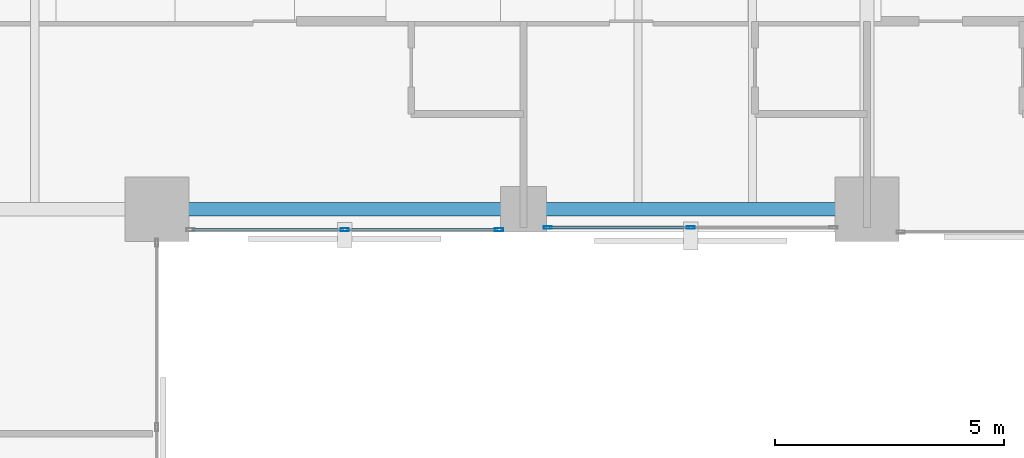
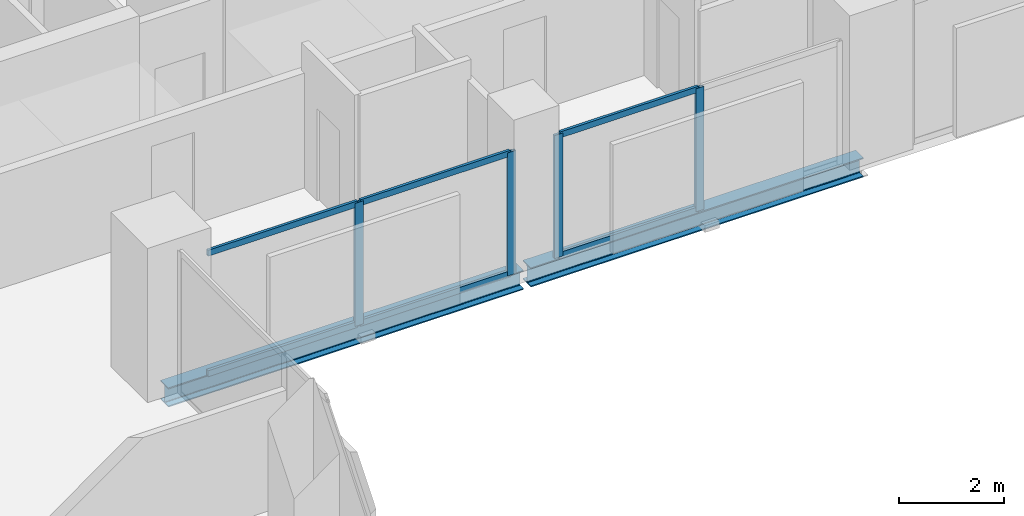
# One storey, part 13 of 32: 10 members, 2 beams, 2 elements without a shape of their own.
"""IFC4 building model written with IfcOpenShell, lengths in metres."""

from ifc_helpers import new_model, si_unit, direction, frame, origin, origin_2d, place, context, subcontext, project, spatial, hollow_rectangle, i_section, extrude, material, layer, layer_set, material_profile, profile_set, type_object, element, aggregate, save


model = new_model("IFC4")

# Units and contexts
model_context = context("Model", 3, precision=1e-05, world=origin(), true_north=direction((0.0, 1.0)))
body_context = subcontext(model_context, "Body", "Model", "MODEL_VIEW")
ifc_project = project(units=[si_unit("LENGTHUNIT", "METRE"), si_unit("AREAUNIT", "SQUARE_METRE"), si_unit("VOLUMEUNIT", "CUBIC_METRE"), si_unit("PLANEANGLEUNIT", "RADIAN"), si_unit("MASSUNIT", "GRAM", prefix="KILO")], contexts=[model_context])

# Site, building, storey
site_placement = place(None, origin())
site = spatial("IfcSite", under=ifc_project, at=site_placement, CompositionType="ELEMENT")
building_placement = place(site_placement, origin())
building = spatial("IfcBuilding", under=site, at=building_placement, Name="Catumbela Crestline Tower", CompositionType="ELEMENT")
storey_placement = place(building_placement, frame((0.0, 0.0, 29.4)))
storey = spatial("IfcBuildingStorey", under=building, at=storey_placement, Name="L06", CompositionType="ELEMENT", Elevation=29.4)

# Curtain wall, members
ifc_material_1 = material(Name="Aluminium alloy AW-6060-T66", Category="aluminium")
ifc_layer = layer(ifc_material_1, 0.18, Name="Aluminium alloy AW-6060-T66")
ifc_layer_set = layer_set([ifc_layer], Name="Aluminium alloy AW-6060-T66")
curtain_wall_type = type_object("IfcCurtainWallType", Name="CWU-Z1", PredefinedType="USERDEFINED", material=ifc_layer_set)
curtain_wall_1_placement = place(storey_placement, origin())
curtain_wall_1 = element("IfcCurtainWall", 1, at=curtain_wall_1_placement, inside=storey, type_object=curtain_wall_type, Name="L06 Unitised Curtain Wall CW-L06-E3S1", ObjectType="UNITISED", PredefinedType="USERDEFINED")
ifc_material_profile_1 = material_profile(ifc_material_1, hollow_rectangle(XDim=0.065, YDim=0.18, WallThickness=0.004, at=origin_2d()), Name="ALU 180x65x4")
ifc_profile_set_1 = profile_set([ifc_material_profile_1], Name="Aluminium alloy AW-6060-T66")
member_type_1 = type_object("IfcMemberType", Name="MUL-180X65", PredefinedType="MULLION", material=ifc_profile_set_1)
member_1_placement = place(storey_placement, frame((28.1, 24.05, 0.0), z_axis=(0.0, 0.0, 1.0), x_axis=(0.0, 1.0, 0.0)))
member_1 = element("IfcMember", 2, at=member_1_placement, type_object=member_type_1, Name="CWU-Z1 mullion 2", PredefinedType="MULLION", context=body_context, shape_type="SweptSolid", body=[
    extrude(hollow_rectangle(XDim=0.065, YDim=0.18, WallThickness=0.004, at=origin_2d()), origin(), (0.0, 0.0, 1.0), 2.87),
])
member_2_placement = place(storey_placement, frame((31.4675, 24.05, 0.0), z_axis=(0.0, 0.0, 1.0), x_axis=(0.0, 1.0, 0.0)))
member_2 = element("IfcMember", 3, at=member_2_placement, type_object=member_type_1, Name="CWU-Z1 mullion 3", PredefinedType="MULLION", context=body_context, shape_type="SweptSolid", body=[
    extrude(hollow_rectangle(XDim=0.065, YDim=0.18, WallThickness=0.004, at=origin_2d()), origin(), (0.0, 0.0, 1.0), 2.87),
])

curtain_wall_2_placement = place(storey_placement, origin())
curtain_wall_2 = element("IfcCurtainWall", 4, at=curtain_wall_2_placement, inside=storey, type_object=curtain_wall_type, Name="L06 Unitised Curtain Wall CW-L06-E3S2", ObjectType="UNITISED", PredefinedType="USERDEFINED")
member_3_placement = place(storey_placement, frame((32.5325, 24.1, 0.0), z_axis=(0.0, 0.0, 1.0), x_axis=(0.0, 1.0, 0.0)))
member_3 = element("IfcMember", 5, at=member_3_placement, type_object=member_type_1, Name="CWU-Z1 mullion 1", PredefinedType="MULLION", context=body_context, shape_type="SweptSolid", body=[
    extrude(hollow_rectangle(XDim=0.065, YDim=0.18, WallThickness=0.004, at=origin_2d()), origin(), (0.0, 0.0, 1.0), 2.87),
])
member_4_placement = place(storey_placement, frame((35.65, 24.1, 0.0), z_axis=(0.0, 0.0, 1.0), x_axis=(0.0, 1.0, 0.0)))
member_4 = element("IfcMember", 6, at=member_4_placement, type_object=member_type_1, Name="CWU-Z1 mullion 2", PredefinedType="MULLION", context=body_context, shape_type="SweptSolid", body=[
    extrude(hollow_rectangle(XDim=0.065, YDim=0.18, WallThickness=0.004, at=origin_2d()), origin(), (0.0, 0.0, 1.0), 2.87),
])

# Beams
ifc_material_2 = material(Name="Structural steel S355J2", Category="steel")
ifc_material_profile_2 = material_profile(ifc_material_2, i_section(OverallWidth=0.3, OverallDepth=0.45, WebThickness=0.014, FlangeThickness=0.026, FilletRadius=0.027, at=origin_2d()), Name="HEB 450")
ifc_profile_set_2 = profile_set([ifc_material_profile_2], Name="Structural steel S355J2")
beam_type = type_object("IfcBeamType", Name="BS-HEB450", PredefinedType="SPANDREL", material=ifc_profile_set_2)
beam_1_placement = place(storey_placement, frame((24.08, 24.5, -0.485), z_axis=(1.0, 0.0, 0.0), x_axis=(0.0, 1.0, 0.0)))
element("IfcBeam", 7, at=beam_1_placement, inside=storey, type_object=beam_type, Name="L06 Spandrel SP-L06-S05", PredefinedType="SPANDREL", context=body_context, shape_type="SweptSolid", body=[
    extrude(i_section(OverallWidth=0.3, OverallDepth=0.45, WebThickness=0.014, FlangeThickness=0.026, FilletRadius=0.027, at=origin_2d()), origin(), (0.0, 0.0, 1.0), 7.84),
])
beam_2_placement = place(storey_placement, frame((32.08, 24.5, -0.485), z_axis=(1.0, 0.0, 0.0), x_axis=(0.0, 1.0, 0.0)))
element("IfcBeam", 8, at=beam_2_placement, inside=storey, type_object=beam_type, Name="L06 Spandrel SP-L06-S06", PredefinedType="SPANDREL", context=body_context, shape_type="SweptSolid", body=[
    extrude(i_section(OverallWidth=0.3, OverallDepth=0.45, WebThickness=0.014, FlangeThickness=0.026, FilletRadius=0.027, at=origin_2d()), origin(), (0.0, 0.0, 1.0), 7.34),
])

# Member
ifc_material_profile_3 = material_profile(ifc_material_1, hollow_rectangle(XDim=0.06, YDim=0.14, WallThickness=0.004, at=origin_2d()), Name="ALU 140x60x4")
ifc_profile_set_3 = profile_set([ifc_material_profile_3], Name="Aluminium alloy AW-6060-T66")
member_type_2 = type_object("IfcMemberType", Name="TRN-140X60", PredefinedType="USERDEFINED", material=ifc_profile_set_3)
member_5_placement = place(storey_placement, frame((24.765, 24.05, 0.03), z_axis=(1.0, 0.0, 0.0), x_axis=(0.0, 1.0, 0.0)))
member_5 = element("IfcMember", 9, at=member_5_placement, type_object=member_type_2, Name="CWU-Z1 transom 1.1", ObjectType="TRANSOM", PredefinedType="USERDEFINED", context=body_context, shape_type="SweptSolid", body=[
    extrude(hollow_rectangle(XDim=0.06, YDim=0.14, WallThickness=0.004, at=origin_2d()), origin(), (0.0, 0.0, 1.0), 3.3025),
])

member_6_placement = place(storey_placement, frame((24.765, 24.05, 2.84), z_axis=(1.0, 0.0, 0.0), x_axis=(0.0, 1.0, 0.0)))
member_6 = element("IfcMember", 10, at=member_6_placement, type_object=member_type_2, Name="CWU-Z1 transom 1.2", ObjectType="TRANSOM", PredefinedType="USERDEFINED", context=body_context, shape_type="SweptSolid", body=[
    extrude(hollow_rectangle(XDim=0.06, YDim=0.14, WallThickness=0.004, at=origin_2d()), origin(), (0.0, 0.0, 1.0), 3.3025),
])

member_7_placement = place(storey_placement, frame((28.1325, 24.05, 0.03), z_axis=(1.0, 0.0, 0.0), x_axis=(0.0, 1.0, 0.0)))
member_7 = element("IfcMember", 11, at=member_7_placement, type_object=member_type_2, Name="CWU-Z1 transom 2.1", ObjectType="TRANSOM", PredefinedType="USERDEFINED", context=body_context, shape_type="SweptSolid", body=[
    extrude(hollow_rectangle(XDim=0.06, YDim=0.14, WallThickness=0.004, at=origin_2d()), origin(), (0.0, 0.0, 1.0), 3.3025),
])

member_8_placement = place(storey_placement, frame((28.1325, 24.05, 2.84), z_axis=(1.0, 0.0, 0.0), x_axis=(0.0, 1.0, 0.0)))
member_8 = element("IfcMember", 12, at=member_8_placement, type_object=member_type_2, Name="CWU-Z1 transom 2.2", ObjectType="TRANSOM", PredefinedType="USERDEFINED", context=body_context, shape_type="SweptSolid", body=[
    extrude(hollow_rectangle(XDim=0.06, YDim=0.14, WallThickness=0.004, at=origin_2d()), origin(), (0.0, 0.0, 1.0), 3.3025),
])

aggregate(curtain_wall_1, [member_1, member_2, member_5, member_6, member_7, member_8])

member_9_placement = place(storey_placement, frame((32.565, 24.1, 0.03), z_axis=(1.0, 0.0, 0.0), x_axis=(0.0, 1.0, 0.0)))
member_9 = element("IfcMember", 13, at=member_9_placement, type_object=member_type_2, Name="CWU-Z1 transom 1.1", ObjectType="TRANSOM", PredefinedType="USERDEFINED", context=body_context, shape_type="SweptSolid", body=[
    extrude(hollow_rectangle(XDim=0.06, YDim=0.14, WallThickness=0.004, at=origin_2d()), origin(), (0.0, 0.0, 1.0), 3.0525),
])

member_10_placement = place(storey_placement, frame((32.565, 24.1, 2.84), z_axis=(1.0, 0.0, 0.0), x_axis=(0.0, 1.0, 0.0)))
member_10 = element("IfcMember", 14, at=member_10_placement, type_object=member_type_2, Name="CWU-Z1 transom 1.2", ObjectType="TRANSOM", PredefinedType="USERDEFINED", context=body_context, shape_type="SweptSolid", body=[
    extrude(hollow_rectangle(XDim=0.06, YDim=0.14, WallThickness=0.004, at=origin_2d()), origin(), (0.0, 0.0, 1.0), 3.0525),
])

aggregate(curtain_wall_2, [member_3, member_4, member_9, member_10])

save(model, "model.ifc")
